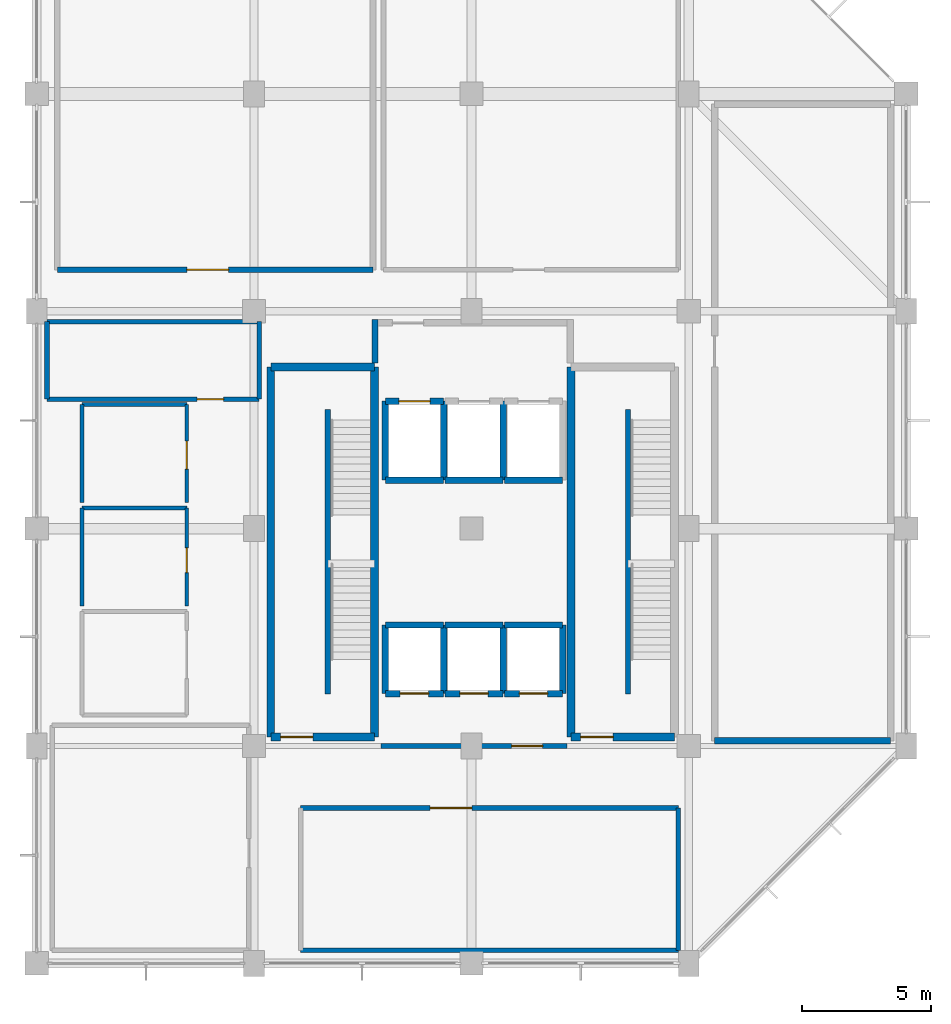
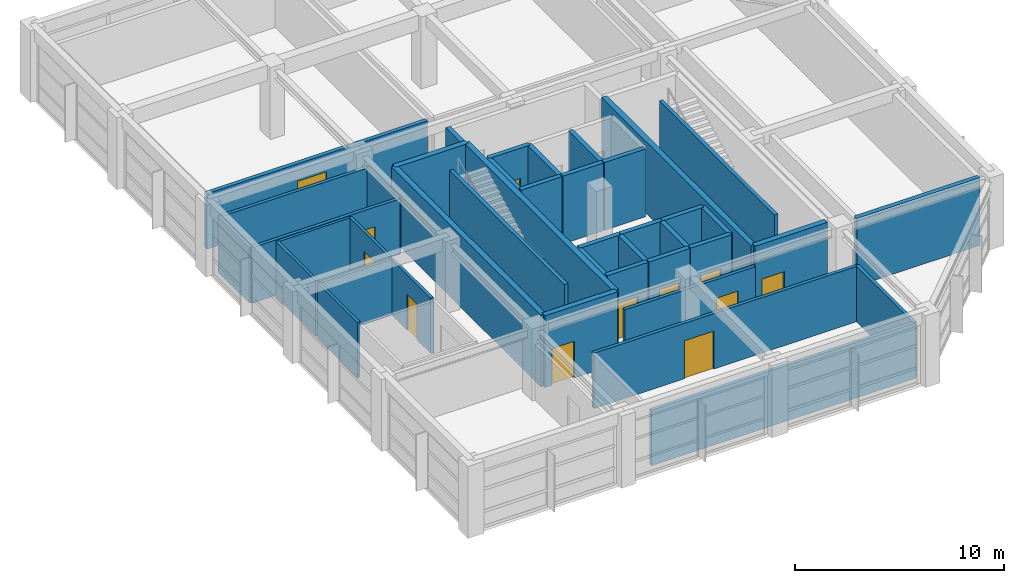
# One storey, part 10 of 12: 42 walls, 12 doors, 12 openings.
"""IFC4 building model written with IfcOpenShell, lengths in metres."""

import ifcopenshell
import ifcopenshell.guid

model = None  # the IFC model being written
_history = None  # IfcOwnerHistory: only IFC2X3 demands one
_inside = {}  # id of a spatial element -> (the spatial element, [elements in it])
_under = {}  # id of a project, library or spatial element -> (it, [spatial elements below it])
_declared = {}  # id of a project -> (the project, [libraries it declares])
_typed = {}  # id of a type object -> (the type object, [elements of that type])
_made_of = {}  # id of a material, layer set ... -> (it, [elements and type objects made of it])


def new_model(schema):
    """Start an empty IFC model of exactly this schema.

    Asked for "IFC4X3", IfcOpenShell would pick the latest addendum, in which some entities
    have other attributes; the version numbers below select the first issue.
    IFC2X3 requires an IfcOwnerHistory on every rooted entity: one is made here for all.
    """
    global model, _history
    if schema == "IFC4X3":
        model = ifcopenshell.file(schema_version=(4, 3, 0, 0))
    else:
        model = ifcopenshell.file(schema=schema)
    _inside.clear()
    _under.clear()
    _declared.clear()
    _typed.clear()
    _made_of.clear()
    _history = None
    if model.schema == "IFC2X3":
        org = make("IfcOrganization", Name="unknown")
        user = make(
            "IfcPersonAndOrganization",
            ThePerson=make("IfcPerson", FamilyName="unknown"),
            TheOrganization=org,
        )
        app = make(
            "IfcApplication",
            ApplicationDeveloper=org,
            Version="unknown",
            ApplicationFullName="unknown",
            ApplicationIdentifier="unknown",
        )
        _history = make(
            "IfcOwnerHistory",
            OwningUser=user,
            OwningApplication=app,
            ChangeAction="ADDED",
            CreationDate=0,
        )
    return model


def make(cls, **values):
    """One entity of the class cls with the attributes given. An attribute that is None is left unset."""
    return model.create_entity(
        cls, **{name: value for name, value in values.items() if value is not None}
    )


def rooted(cls, **values):
    """An entity with a GlobalId (a new one), such as an element, a storey or a relation."""
    return make(cls, GlobalId=ifcopenshell.guid.new(), OwnerHistory=_history, **values)


def si_unit(unit_type, name, prefix=None):
    """IfcSIUnit, for example si_unit("LENGTHUNIT", "METRE", prefix="MILLI")."""
    return make("IfcSIUnit", UnitType=unit_type, Prefix=prefix, Name=name)


def assignment(units):
    """IfcUnitAssignment: the units of a project."""
    return None if units is None else make("IfcUnitAssignment", Units=units)


def point(xyz):
    """IfcCartesianPoint."""
    return None if xyz is None else make("IfcCartesianPoint", Coordinates=xyz)


def direction(xyz):
    """IfcDirection."""
    return None if xyz is None else make("IfcDirection", DirectionRatios=xyz)


def frame(location, z_axis=None, x_axis=None):
    """IfcAxis2Placement3D, a coordinate frame: its origin and axes. An axis left out is left unset."""
    return make(
        "IfcAxis2Placement3D",
        Location=point(location),
        Axis=direction(z_axis),
        RefDirection=direction(x_axis),
    )


def frame_2d(location, x_axis=None):
    """IfcAxis2Placement2D, a coordinate frame in the plane: its origin and x axis."""
    return make(
        "IfcAxis2Placement2D", Location=point(location), RefDirection=direction(x_axis)
    )


def origin():
    """The frame at (0, 0, 0) with its axes left unset."""
    return frame((0.0, 0.0, 0.0))


def place(relative_to, where):
    """IfcLocalPlacement: puts the frame where relative to a parent placement (None: the world)."""
    return make(
        "IfcLocalPlacement", PlacementRelTo=relative_to, RelativePlacement=where
    )


def context(
    kind, dimensions, precision=None, world=None, true_north=None, identifier=None
):
    """IfcGeometricRepresentationContext, for example the 3D "Model" context."""
    return make(
        "IfcGeometricRepresentationContext",
        ContextIdentifier=identifier,
        ContextType=kind,
        CoordinateSpaceDimension=dimensions,
        Precision=precision,
        WorldCoordinateSystem=world,
        TrueNorth=true_north,
    )


def subcontext(parent, identifier, kind, view, scale=None):
    """IfcGeometricRepresentationSubContext, for example "Body" below "Model"."""
    return make(
        "IfcGeometricRepresentationSubContext",
        ContextIdentifier=identifier,
        ContextType=kind,
        ParentContext=parent,
        TargetScale=scale,
        TargetView=view,
    )


def project(units=None, contexts=None):
    """IfcProject with its units and contexts."""
    return rooted(
        "IfcProject",
        Name="project",
        RepresentationContexts=contexts,
        UnitsInContext=assignment(units),
    )


def spatial(cls, under=None, at=None, **own):
    """A site, building, storey or space (cls), placed at a placement, below another one or the project."""
    s = rooted(cls, ObjectPlacement=at, **own)
    if under is not None:
        _under.setdefault(under.id(), (under, []))[1].append(s)
    return s


def profile(cls, at=None, kind="AREA", **sizes):
    """A parametric profile (cls). Its sizes go by their IFC names, for example OverallWidth=200.0."""
    return make(cls, ProfileType=kind, Position=at, **sizes)


def rectangle(**sizes):
    """IfcRectangleProfileDef."""
    return profile("IfcRectangleProfileDef", **sizes)


def extrude(swept, where, along, depth):
    """IfcExtrudedAreaSolid: the profile swept, set in the frame where, extruded along a direction by depth."""
    return make(
        "IfcExtrudedAreaSolid",
        SweptArea=swept,
        Position=where,
        ExtrudedDirection=direction(along),
        Depth=depth,
    )


def shape(context_of_items, identifier, shape_type, items):
    """IfcShapeRepresentation: the items that make up one representation, for example the "Body"."""
    return make(
        "IfcShapeRepresentation",
        ContextOfItems=context_of_items,
        RepresentationIdentifier=identifier,
        RepresentationType=shape_type,
        Items=items,
    )


def material(Name=None, Category=None):
    """IfcMaterial."""
    return make("IfcMaterial", Name=Name, Category=Category)


def layer(
    of_material, thickness, ventilated=None, Name=None, Category=None, Priority=None
):
    """IfcMaterialLayer: one layer of a wall or slab, of a material (None: an air gap)."""
    return make(
        "IfcMaterialLayer",
        Material=of_material,
        LayerThickness=thickness,
        IsVentilated=ventilated,
        Name=Name,
        Category=Category,
        Priority=Priority,
    )


def layer_set(layers, Name=None):
    """IfcMaterialLayerSet."""
    return make("IfcMaterialLayerSet", MaterialLayers=layers, LayerSetName=Name)


def made_of(thing, what):
    """Note that an element or type object is made of a material, layer set ...; save() writes the relation."""
    if what is not None:
        _made_of.setdefault(what.id(), (what, []))[1].append(thing)
    return thing


def type_object(cls, material=None, **own):
    """A type object (cls), such as IfcWallType, which elements share."""
    return made_of(rooted(cls, **own), material)


def element(
    cls,
    number,
    at=None,
    inside=None,
    cuts=None,
    type_object=None,
    material=None,
    context=None,
    identifier="Body",
    shape_type=None,
    held_by="IfcProductDefinitionShape",
    body=None,
    shapes=None,
    **own,
):
    """One element of the class cls, such as IfcWall. Its Tag is "e" and its number.

    at: its placement. inside: the storey or other place that contains it. cuts: it is an
    opening in that element (IfcRelVoidsElement). A single representation is given by context,
    identifier, shape_type and body (its items); several are given by shapes. held_by: the class
    of the entity that holds the representations. save() writes the other relations.
    """
    e = rooted(cls, Tag="e%d" % number, ObjectPlacement=at, **own)
    if body is not None:
        shapes = [shape(context, identifier, shape_type, body)]
    if shapes is not None:
        e.Representation = make(held_by, Representations=shapes)
    if inside is not None:
        _inside.setdefault(inside.id(), (inside, []))[1].append(e)
    if cuts is not None:
        rooted(
            "IfcRelVoidsElement", RelatingBuildingElement=cuts, RelatedOpeningElement=e
        )
    if type_object is not None:
        _typed.setdefault(type_object.id(), (type_object, []))[1].append(e)
    return made_of(e, material)


def fill(opening, filler):
    """IfcRelFillsElement: the door or window that sits in an opening."""
    return rooted(
        "IfcRelFillsElement",
        RelatingOpeningElement=opening,
        RelatedBuildingElement=filler,
    )


def aggregate(whole, parts):
    """IfcRelAggregates: a whole, such as a stair, and the parts it consists of."""
    return rooted("IfcRelAggregates", RelatingObject=whole, RelatedObjects=parts)


def save(model, path):
    """Write the relations noted so far, then the file.

    IfcRelAggregates (storeys below a building ...), IfcRelContainedInSpatialStructure (elements
    in a storey), IfcRelDefinesByType, IfcRelAssociatesMaterial and IfcRelDeclares: one each for
    every whole, place, type object, material and project.
    """
    for whole, parts in _under.values():
        aggregate(whole, parts)
    for where, things in _inside.values():
        rooted(
            "IfcRelContainedInSpatialStructure",
            RelatedElements=things,
            RelatingStructure=where,
        )
    for kind, things in _typed.values():
        rooted("IfcRelDefinesByType", RelatedObjects=things, RelatingType=kind)
    for what, things in _made_of.values():
        rooted("IfcRelAssociatesMaterial", RelatedObjects=things, RelatingMaterial=what)
    for by, libraries in _declared.values():
        rooted("IfcRelDeclares", RelatingContext=by, RelatedDefinitions=libraries)
    model.write(path)


model = new_model("IFC4")

# Units and contexts
model_context = context("Model", 3, precision=1e-05, world=origin(), true_north=direction((0.0, 1.0)))
body_context = subcontext(model_context, "Body", "Model", "MODEL_VIEW")
ifc_project = project(units=[si_unit("LENGTHUNIT", "METRE"), si_unit("AREAUNIT", "SQUARE_METRE"), si_unit("VOLUMEUNIT", "CUBIC_METRE"), si_unit("PLANEANGLEUNIT", "RADIAN"), si_unit("MASSUNIT", "GRAM", prefix="KILO")], contexts=[model_context])

# Site, building, storey
site_placement = place(None, origin())
site = spatial("IfcSite", under=ifc_project, at=site_placement, CompositionType="ELEMENT")
building_placement = place(site_placement, origin())
building = spatial("IfcBuilding", under=site, at=building_placement, Name="Xuanlan Plaza Opera House", CompositionType="ELEMENT")
storey_placement = place(building_placement, frame((0.0, 0.0, 65.699951171875)))
storey = spatial("IfcBuildingStorey", under=building, at=storey_placement, Name="L15", CompositionType="ELEMENT", Elevation=65.699951171875)

# Wall, opening, door
ifc_material_1 = material(Name="Gypsum Board and Galvanised Steel Studs", Category="gypsum")
ifc_layer_1 = layer(ifc_material_1, 0.179931640625)
ifc_layer_set_1 = layer_set([ifc_layer_1], Name="Gypsum Board and Galvanised Steel Studs")
wall_type_1 = type_object("IfcWallType", Name="INT-WL-PW-02", PredefinedType="PARTITIONING", material=ifc_layer_set_1)
wall_1_placement = place(storey_placement, frame((139.300048828125, 50.39990234375, 0.0), z_axis=(0.0, 0.0, 1.0), x_axis=(1.0, 0.0, 0.0)))
wall_1 = element("IfcWall", 1, at=wall_1_placement, inside=storey, type_object=wall_type_1, Name="Tower Lift Lobby Wall South", PredefinedType="PARTITIONING", context=body_context, shape_type="SweptSolid", body=[
    extrude(rectangle(XDim=7.199951171875, YDim=0.179931640625, at=frame_2d((3.60009765625, 0.0))), origin(), (0.0, 0.0, 1.0), 3.239990234375),
])
opening_1_placement = place(wall_1_placement, frame((5.050048828125, 0.0, 0.0)))
opening_1 = element("IfcOpeningElement", 2, at=opening_1_placement, cuts=wall_1, Name="Opening FD-02", PredefinedType="OPENING", context=body_context, shape_type="SweptSolid", body=[
    extrude(rectangle(XDim=1.199951171875, YDim=2.14990234375, at=frame_2d((0.60009765625, 1.074951171875))), frame((0.0, 0.099853515625, 0.0), z_axis=(0.0, -1.0, 0.0), x_axis=(1.0, 0.0, 0.0)), (0.0, 0.0, 1.0), 0.199951171875),
])
ifc_material_2 = material(Name="Galvanised Steel Q235B", Category="steel")
door_type_1 = type_object("IfcDoorType", Name="INT-DR-FD-02", OperationType="NOTDEFINED", PredefinedType="DOOR", material=ifc_material_2)
door_1_placement = place(opening_1_placement, frame((1.199951171875, 0.0, 0.0), z_axis=(0.0, 0.0, 1.0), x_axis=(-1.0, 0.0, 0.0)))
door_1 = element("IfcDoor", 3, at=door_1_placement, inside=storey, type_object=door_type_1, Name="Tower Lift Lobby Door 1", OperationType="SINGLE_SWING_RIGHT", OverallHeight=2.14990234375, OverallWidth=1.199951171875, PredefinedType="DOOR", context=body_context, shape_type="SweptSolid", body=[
    extrude(rectangle(XDim=1.199951171875, YDim=2.14990234375, at=frame_2d((0.60009765625, 1.074951171875))), frame((0.0, 0.02490234375, 0.0), z_axis=(0.0, -1.0, 0.0), x_axis=(1.0, 0.0, 0.0)), (0.0, 0.0, 1.0), 0.050048828125),
])
fill(opening_1, door_1)

wall_2_placement = place(storey_placement, frame((126.39990234375, 63.800048828125, 0.0), z_axis=(0.0, 0.0, 1.0), x_axis=(1.0, 0.0, 0.0)))
wall_2 = element("IfcWall", 4, at=wall_2_placement, inside=storey, type_object=wall_type_1, Name="Sheet-Music Conservation Studio Wall South", PredefinedType="PARTITIONING", context=body_context, shape_type="SweptSolid", body=[
    extrude(rectangle(XDim=8.2001953125, YDim=0.179931640625, at=frame_2d((4.10009765625, 0.0))), origin(), (0.0, 0.0, 1.0), 3.239990234375),
])
opening_2_placement = place(wall_2_placement, frame((5.800048828125, 0.0, 0.0)))
opening_2 = element("IfcOpeningElement", 5, at=opening_2_placement, cuts=wall_2, Name="Opening D-02", PredefinedType="OPENING", context=body_context, shape_type="SweptSolid", body=[
    extrude(rectangle(XDim=1.02001953125, YDim=2.10009765625, at=frame_2d((0.510009765625, 1.050048828125))), frame((0.0, 0.099853515625, 0.0), z_axis=(0.0, -1.0, 0.0), x_axis=(1.0, 0.0, 0.0)), (0.0, 0.0, 1.0), 0.199951171875),
])
ifc_material_3 = material(Name="Oak Hardwood Timber", Category="wood")
door_type_2 = type_object("IfcDoorType", Name="INT-DR-D-02", OperationType="NOTDEFINED", PredefinedType="DOOR", material=ifc_material_3)
door_2_placement = place(opening_2_placement, origin())
door_2 = element("IfcDoor", 6, at=door_2_placement, inside=storey, type_object=door_type_2, Name="Sheet-Music Conservation Studio Door 1", OperationType="SINGLE_SWING_RIGHT", OverallHeight=2.10009765625, OverallWidth=1.02001953125, PredefinedType="DOOR", context=body_context, shape_type="SweptSolid", body=[
    extrude(rectangle(XDim=1.02001953125, YDim=2.10009765625, at=frame_2d((0.510009765625, 1.050048828125))), frame((0.0, 0.02490234375, 0.0), z_axis=(0.0, -1.0, 0.0), x_axis=(1.0, 0.0, 0.0)), (0.0, 0.0, 1.0), 0.050048828125),
])
fill(opening_2, door_2)

# Walls
wall_3_placement = place(storey_placement, frame((126.39990234375, 66.800048828125, 0.0), z_axis=(0.0, 0.0, 1.0), x_axis=(1.0, 0.0, 0.0)))
element("IfcWall", 7, at=wall_3_placement, inside=storey, type_object=wall_type_1, Name="Sheet-Music Conservation Studio Wall North", PredefinedType="PARTITIONING", context=body_context, shape_type="SweptSolid", body=[
    extrude(rectangle(XDim=8.2001953125, YDim=0.179931640625, at=frame_2d((4.10009765625, 0.0))), origin(), (0.0, 0.0, 1.0), 3.239990234375),
])
for number, where, z_axis, x_axis, name in (
    (8, (126.39990234375, 63.800048828125, 0.0), (0.0, 0.0, 1.0), (0.0, 1.0, 0.0), "Sheet-Music Conservation Studio Wall West"),
    (9, (134.60009765625, 63.800048828125, 0.0), (0.0, 0.0, 1.0), (0.0, 1.0, 0.0), "Sheet-Music Conservation Studio Wall East"),
):
    element("IfcWall", number, at=place(storey_placement, frame(where, z_axis=z_axis, x_axis=x_axis)), inside=storey, type_object=wall_type_1, Name=name, PredefinedType="PARTITIONING", context=body_context, shape_type="SweptSolid", body=[
        extrude(rectangle(XDim=3.0, YDim=0.179931640625, at=frame_2d((1.5, 0.0))), origin(), (0.0, 0.0, 1.0), 3.239990234375),
    ])
wall_4_placement = place(storey_placement, frame((136.199951171875, 42.5, 0.0), z_axis=(0.0, 0.0, 1.0), x_axis=(1.0, 0.0, 0.0)))
element("IfcWall", 10, at=wall_4_placement, inside=storey, type_object=wall_type_1, Name="Chamber Music Coaching Studio Wall South", PredefinedType="PARTITIONING", context=body_context, shape_type="SweptSolid", body=[
    extrude(rectangle(XDim=14.60009765625, YDim=0.179931640625, at=frame_2d((7.300048828125, 0.0))), origin(), (0.0, 0.0, 1.0), 3.239990234375),
])

# Wall, opening, door
wall_5_placement = place(storey_placement, frame((136.199951171875, 48.0, 0.0), z_axis=(0.0, 0.0, 1.0), x_axis=(1.0, 0.0, 0.0)))
wall_5 = element("IfcWall", 11, at=wall_5_placement, inside=storey, type_object=wall_type_1, Name="Chamber Music Coaching Studio Wall North", PredefinedType="PARTITIONING", context=body_context, shape_type="SweptSolid", body=[
    extrude(rectangle(XDim=14.60009765625, YDim=0.179931640625, at=frame_2d((7.300048828125, 0.0))), origin(), (0.0, 0.0, 1.0), 3.239990234375),
])
opening_3_placement = place(wall_5_placement, frame((5.0, 0.0, 0.0)))
opening_3 = element("IfcOpeningElement", 12, at=opening_3_placement, cuts=wall_5, Name="Opening D-08", PredefinedType="OPENING", context=body_context, shape_type="SweptSolid", body=[
    extrude(rectangle(XDim=1.6201171875, YDim=2.219970703125, at=frame_2d((0.81005859375, 1.10986328125))), frame((0.0, 0.099853515625, 0.0), z_axis=(0.0, -1.0, 0.0), x_axis=(1.0, 0.0, 0.0)), (0.0, 0.0, 1.0), 0.199951171875),
])
ifc_material_4 = material(Name="Walnut Hardwood Timber", Category="wood")
door_type_3 = type_object("IfcDoorType", Name="INT-DR-D-08", OperationType="DOUBLE_DOOR_SINGLE_SWING", PredefinedType="DOOR", material=ifc_material_4)
door_3_placement = place(opening_3_placement, origin())
door_3 = element("IfcDoor", 13, at=door_3_placement, inside=storey, type_object=door_type_3, Name="Chamber Music Coaching Studio Door 1", OperationType="DOUBLE_DOOR_SINGLE_SWING", OverallHeight=2.219970703125, OverallWidth=1.6201171875, PredefinedType="DOOR", context=body_context, shape_type="SweptSolid", body=[
    extrude(rectangle(XDim=1.6201171875, YDim=2.219970703125, at=frame_2d((0.81005859375, 1.10986328125))), frame((0.0, 0.02490234375, 0.0), z_axis=(0.0, -1.0, 0.0), x_axis=(1.0, 0.0, 0.0)), (0.0, 0.0, 1.0), 0.050048828125),
])
fill(opening_3, door_3)

# Walls
wall_6_placement = place(storey_placement, frame((150.800048828125, 42.5, 0.0), z_axis=(0.0, 0.0, 1.0), x_axis=(0.0, 1.0, 0.0)))
element("IfcWall", 14, at=wall_6_placement, inside=storey, type_object=wall_type_1, Name="Chamber Music Coaching Studio Wall East", PredefinedType="PARTITIONING", context=body_context, shape_type="SweptSolid", body=[
    extrude(rectangle(XDim=5.5, YDim=0.179931640625, at=frame_2d((2.75, 0.0))), origin(), (0.0, 0.0, 1.0), 3.239990234375),
])
ifc_material_5 = material(Name="Autoclaved Aerated Blockwork Masonry", Category="masonry")
ifc_layer_2 = layer(ifc_material_5, 0.14990234375)
ifc_layer_set_2 = layer_set([ifc_layer_2], Name="Autoclaved Aerated Blockwork Masonry")
wall_type_2 = type_object("IfcWallType", Name="INT-WL-PW-03", PredefinedType="PARTITIONING", material=ifc_layer_set_2)
wall_7_placement = place(storey_placement, frame((127.75, 59.60009765625, 0.0), z_axis=(0.0, 0.0, 1.0), x_axis=(1.0, 0.0, 0.0)))
element("IfcWall", 15, at=wall_7_placement, inside=storey, type_object=wall_type_2, Name="Staff WC Wall North", PredefinedType="PARTITIONING", context=body_context, shape_type="SweptSolid", body=[
    extrude(rectangle(XDim=4.050048828125, YDim=0.14990234375, at=frame_2d((2.02490234375, 0.0))), origin(), (0.0, 0.0, 1.0), 3.239990234375),
])
wall_8_placement = place(storey_placement, frame((127.75, 55.800048828125, 0.0), z_axis=(0.0, 0.0, 1.0), x_axis=(0.0, 1.0, 0.0)))
element("IfcWall", 16, at=wall_8_placement, inside=storey, type_object=wall_type_2, Name="Staff WC Wall West", PredefinedType="PARTITIONING", context=body_context, shape_type="SweptSolid", body=[
    extrude(rectangle(XDim=3.800048828125, YDim=0.14990234375, at=frame_2d((1.89990234375, 0.0))), origin(), (0.0, 0.0, 1.0), 3.239990234375),
])

# Wall, opening, door
wall_9_placement = place(storey_placement, frame((131.800048828125, 55.800048828125, 0.0), z_axis=(0.0, 0.0, 1.0), x_axis=(0.0, 1.0, 0.0)))
wall_9 = element("IfcWall", 17, at=wall_9_placement, inside=storey, type_object=wall_type_2, Name="Staff WC Wall East", PredefinedType="PARTITIONING", context=body_context, shape_type="SweptSolid", body=[
    extrude(rectangle(XDim=3.800048828125, YDim=0.14990234375, at=frame_2d((1.89990234375, 0.0))), origin(), (0.0, 0.0, 1.0), 3.239990234375),
])
opening_4_placement = place(wall_9_placement, frame((1.300048828125, 0.0, 0.0)))
opening_4 = element("IfcOpeningElement", 18, at=opening_4_placement, cuts=wall_9, Name="Opening D-01", PredefinedType="OPENING", context=body_context, shape_type="SweptSolid", body=[
    extrude(rectangle(XDim=0.949951171875, YDim=2.10009765625, at=frame_2d((0.47509765625, 1.050048828125))), frame((0.0, 0.0849609375, 0.0), z_axis=(0.0, -1.0, 0.0), x_axis=(1.0, 0.0, 0.0)), (0.0, 0.0, 1.0), 0.169921875),
])
door_type_4 = type_object("IfcDoorType", Name="INT-DR-D-01", OperationType="NOTDEFINED", PredefinedType="DOOR", material=ifc_material_4)
door_4_placement = place(opening_4_placement, origin())
door_4 = element("IfcDoor", 19, at=door_4_placement, inside=storey, type_object=door_type_4, Name="Staff WC Door 1", OperationType="SINGLE_SWING_RIGHT", OverallHeight=2.10009765625, OverallWidth=0.949951171875, PredefinedType="DOOR", context=body_context, shape_type="SweptSolid", body=[
    extrude(rectangle(XDim=0.949951171875, YDim=2.10009765625, at=frame_2d((0.47509765625, 1.050048828125))), frame((0.0, 0.02490234375, 0.0), z_axis=(0.0, -1.0, 0.0), x_axis=(1.0, 0.0, 0.0)), (0.0, 0.0, 1.0), 0.050048828125),
])
fill(opening_4, door_4)

# Walls
wall_10_placement = place(storey_placement, frame((127.75, 63.60009765625, 0.0), z_axis=(0.0, 0.0, 1.0), x_axis=(1.0, 0.0, 0.0)))
element("IfcWall", 20, at=wall_10_placement, inside=storey, type_object=wall_type_2, Name="Accessible WC Wall North", PredefinedType="PARTITIONING", context=body_context, shape_type="SweptSolid", body=[
    extrude(rectangle(XDim=4.050048828125, YDim=0.14990234375, at=frame_2d((2.02490234375, 0.0))), origin(), (0.0, 0.0, 1.0), 3.239990234375),
])
wall_11_placement = place(storey_placement, frame((127.75, 59.800048828125, 0.0), z_axis=(0.0, 0.0, 1.0), x_axis=(0.0, 1.0, 0.0)))
element("IfcWall", 21, at=wall_11_placement, inside=storey, type_object=wall_type_2, Name="Accessible WC Wall West", PredefinedType="PARTITIONING", context=body_context, shape_type="SweptSolid", body=[
    extrude(rectangle(XDim=3.800048828125, YDim=0.14990234375, at=frame_2d((1.89990234375, 0.0))), origin(), (0.0, 0.0, 1.0), 3.239990234375),
])

# Wall, opening, door
wall_12_placement = place(storey_placement, frame((131.800048828125, 59.800048828125, 0.0), z_axis=(0.0, 0.0, 1.0), x_axis=(0.0, 1.0, 0.0)))
wall_12 = element("IfcWall", 22, at=wall_12_placement, inside=storey, type_object=wall_type_2, Name="Accessible WC Wall East", PredefinedType="PARTITIONING", context=body_context, shape_type="SweptSolid", body=[
    extrude(rectangle(XDim=3.800048828125, YDim=0.14990234375, at=frame_2d((1.89990234375, 0.0))), origin(), (0.0, 0.0, 1.0), 3.239990234375),
])
opening_5_placement = place(wall_12_placement, frame((1.300048828125, 0.0, 0.0)))
opening_5 = element("IfcOpeningElement", 23, at=opening_5_placement, cuts=wall_12, Name="Opening D-06", PredefinedType="OPENING", context=body_context, shape_type="SweptSolid", body=[
    extrude(rectangle(XDim=1.080078125, YDim=2.1201171875, at=frame_2d((0.5400390625, 1.06005859375))), frame((0.0, 0.0849609375, 0.0), z_axis=(0.0, -1.0, 0.0), x_axis=(1.0, 0.0, 0.0)), (0.0, 0.0, 1.0), 0.169921875),
])
door_type_5 = type_object("IfcDoorType", Name="INT-DR-D-06", OperationType="NOTDEFINED", PredefinedType="DOOR", material=ifc_material_3)
door_5_placement = place(opening_5_placement, origin())
door_5 = element("IfcDoor", 24, at=door_5_placement, inside=storey, type_object=door_type_5, Name="Accessible WC Door 1", OperationType="SINGLE_SWING_LEFT", OverallHeight=2.1201171875, OverallWidth=1.080078125, PredefinedType="DOOR", context=body_context, shape_type="SweptSolid", body=[
    extrude(rectangle(XDim=1.080078125, YDim=2.1201171875, at=frame_2d((0.5400390625, 1.06005859375))), frame((0.0, 0.02490234375, 0.0), z_axis=(0.0, -1.0, 0.0), x_axis=(1.0, 0.0, 0.0)), (0.0, 0.0, 1.0), 0.050048828125),
])
fill(opening_5, door_5)

ifc_layer_3 = layer(ifc_material_5, 0.219970703125)
ifc_layer_set_3 = layer_set([ifc_layer_3], Name="Autoclaved Aerated Blockwork Masonry")
wall_type_3 = type_object("IfcWallType", Name="INT-WL-PW-06", PredefinedType="PARTITIONING", material=ifc_layer_set_3)
wall_13_placement = place(storey_placement, frame((126.800048828125, 68.800048828125, 0.0), z_axis=(0.0, 0.0, 1.0), x_axis=(1.0, 0.0, 0.0)))
wall_13 = element("IfcWall", 25, at=wall_13_placement, inside=storey, type_object=wall_type_3, Name="Endowment Executive Suite West Wall South", PredefinedType="PARTITIONING", context=body_context, shape_type="SweptSolid", body=[
    extrude(rectangle(XDim=12.199951171875, YDim=0.219970703125, at=frame_2d((6.10009765625, 0.0))), origin(), (0.0, 0.0, 1.0), 3.239990234375),
])
opening_6_placement = place(wall_13_placement, frame((5.0, 0.0, 0.0)))
opening_6 = element("IfcOpeningElement", 26, at=opening_6_placement, cuts=wall_13, Name="Opening D-08", PredefinedType="OPENING", context=body_context, shape_type="SweptSolid", body=[
    extrude(rectangle(XDim=1.6201171875, YDim=2.219970703125, at=frame_2d((0.81005859375, 1.10986328125))), frame((0.0, 0.119873046875, 0.0), z_axis=(0.0, -1.0, 0.0), x_axis=(1.0, 0.0, 0.0)), (0.0, 0.0, 1.0), 0.239990234375),
])
door_6_placement = place(opening_6_placement, origin())
door_6 = element("IfcDoor", 27, at=door_6_placement, inside=storey, type_object=door_type_3, Name="Endowment Executive Suite West Door 1", OperationType="DOUBLE_DOOR_SINGLE_SWING", OverallHeight=2.219970703125, OverallWidth=1.6201171875, PredefinedType="DOOR", context=body_context, shape_type="SweptSolid", body=[
    extrude(rectangle(XDim=1.6201171875, YDim=2.219970703125, at=frame_2d((0.81005859375, 1.10986328125))), frame((0.0, 0.02490234375, 0.0), z_axis=(0.0, -1.0, 0.0), x_axis=(1.0, 0.0, 0.0)), (0.0, 0.0, 1.0), 0.050048828125),
])
fill(opening_6, door_6)

# Wall
ifc_material_6 = material(Name="Concrete C40", Category="concrete")
ifc_layer_4 = layer(ifc_material_6, 0.25)
ifc_layer_set_4 = layer_set([ifc_layer_4], Name="Concrete C40")
wall_type_4 = type_object("IfcWallType", Name="INT-WL-SW-LF1", PredefinedType="SHEAR", material=ifc_layer_set_4)
wall_14_placement = place(storey_placement, frame((139.47509765625, 60.675048828125, 0.0), z_axis=(0.0, 0.0, 1.0), x_axis=(1.0, 0.0, 0.0)))
element("IfcWall", 28, at=wall_14_placement, inside=storey, type_object=wall_type_4, Name="Lift Shaft Wall LF-FF1 L15 South", PredefinedType="SHEAR", context=body_context, shape_type="SweptSolid", body=[
    extrude(rectangle(XDim=2.25, YDim=0.25, at=frame_2d((1.125, 0.0))), origin(), (0.0, 0.0, 1.0), 3.9599609375),
])

# Wall, opening, door
wall_15_placement = place(storey_placement, frame((139.47509765625, 63.72509765625, 0.0), z_axis=(0.0, 0.0, 1.0), x_axis=(1.0, 0.0, 0.0)))
wall_15 = element("IfcWall", 29, at=wall_15_placement, inside=storey, type_object=wall_type_4, Name="Lift Shaft Wall LF-FF1 L15 North", PredefinedType="SHEAR", context=body_context, shape_type="SweptSolid", body=[
    extrude(rectangle(XDim=2.25, YDim=0.25, at=frame_2d((1.125, 0.0))), origin(), (0.0, 0.0, 1.0), 3.9599609375),
])
opening_7_placement = place(wall_15_placement, frame((0.52490234375, 0.0, 0.0)))
opening_7 = element("IfcOpeningElement", 30, at=opening_7_placement, cuts=wall_15, Name="Opening LD-FF1-L15", PredefinedType="OPENING", context=body_context, shape_type="SweptSolid", body=[
    extrude(rectangle(XDim=1.199951171875, YDim=2.179931640625, at=frame_2d((0.60009765625, 1.08984375))), frame((0.0, 0.135009765625, 0.0), z_axis=(0.0, -1.0, 0.0), x_axis=(1.0, 0.0, 0.0)), (0.0, 0.0, 1.0), 0.27001953125),
])
ifc_material_7 = material(Name="Stainless Steel S30408", Category="steel")
door_type_6 = type_object("IfcDoorType", Name="INT-DR-LD-02", OperationType="DOUBLE_DOOR_SLIDING", PredefinedType="DOOR", material=ifc_material_7)
door_7_placement = place(opening_7_placement, origin())
door_7 = element("IfcDoor", 31, at=door_7_placement, inside=storey, type_object=door_type_6, Name="Lift Sliding Landing Door LF-FF1 L15", OperationType="DOUBLE_DOOR_SLIDING", OverallHeight=2.179931640625, OverallWidth=1.199951171875, PredefinedType="DOOR", context=body_context, shape_type="SweptSolid", body=[
    extrude(rectangle(XDim=1.199951171875, YDim=2.179931640625, at=frame_2d((0.60009765625, 1.08984375))), frame((0.0, 0.02490234375, 0.0), z_axis=(0.0, -1.0, 0.0), x_axis=(1.0, 0.0, 0.0)), (0.0, 0.0, 1.0), 0.050048828125),
])
fill(opening_7, door_7)

# Walls
for number, where, z_axis, x_axis, name in (
    (32, (139.47509765625, 60.675048828125, 0.0), (0.0, 0.0, 1.0), (0.0, 1.0, 0.0), "Lift Shaft Wall LF-FF1 L15 West"),
    (33, (141.72509765625, 60.675048828125, 0.0), (0.0, 0.0, 1.0), (0.0, 1.0, 0.0), "Lift Shaft Wall LF-FF1 L15 East"),
):
    element("IfcWall", number, at=place(storey_placement, frame(where, z_axis=z_axis, x_axis=x_axis)), inside=storey, type_object=wall_type_4, Name=name, PredefinedType="SHEAR", context=body_context, shape_type="SweptSolid", body=[
        extrude(rectangle(XDim=3.050048828125, YDim=0.25, at=frame_2d((1.52490234375, 0.0))), origin(), (0.0, 0.0, 1.0), 3.9599609375),
    ])
wall_16_placement = place(storey_placement, frame((141.77490234375, 60.675048828125, 0.0), z_axis=(0.0, 0.0, 1.0), x_axis=(1.0, 0.0, 0.0)))
element("IfcWall", 34, at=wall_16_placement, inside=storey, type_object=wall_type_4, Name="Lift Shaft Wall LF-FF2 L15 South", PredefinedType="SHEAR", context=body_context, shape_type="SweptSolid", body=[
    extrude(rectangle(XDim=2.25, YDim=0.25, at=frame_2d((1.125, 0.0))), origin(), (0.0, 0.0, 1.0), 3.9599609375),
])
wall_17_placement = place(storey_placement, frame((144.02490234375, 60.675048828125, 0.0), z_axis=(0.0, 0.0, 1.0), x_axis=(0.0, 1.0, 0.0)))
element("IfcWall", 35, at=wall_17_placement, inside=storey, type_object=wall_type_4, Name="Lift Shaft Wall LF-FF2 L15 East", PredefinedType="SHEAR", context=body_context, shape_type="SweptSolid", body=[
    extrude(rectangle(XDim=3.050048828125, YDim=0.25, at=frame_2d((1.52490234375, 0.0))), origin(), (0.0, 0.0, 1.0), 3.9599609375),
])
wall_18_placement = place(storey_placement, frame((144.074951171875, 60.675048828125, 0.0), z_axis=(0.0, 0.0, 1.0), x_axis=(1.0, 0.0, 0.0)))
element("IfcWall", 36, at=wall_18_placement, inside=storey, type_object=wall_type_4, Name="Lift Shaft Wall LF-FF3 L15 South", PredefinedType="SHEAR", context=body_context, shape_type="SweptSolid", body=[
    extrude(rectangle(XDim=2.25, YDim=0.25, at=frame_2d((1.125, 0.0))), origin(), (0.0, 0.0, 1.0), 3.9599609375),
])

# Wall, opening, door
wall_19_placement = place(storey_placement, frame((139.47509765625, 52.425048828125, 0.0), z_axis=(0.0, 0.0, 1.0), x_axis=(1.0, 0.0, 0.0)))
wall_19 = element("IfcWall", 37, at=wall_19_placement, inside=storey, type_object=wall_type_4, Name="Lift Shaft Wall LF-P1 L15 South", PredefinedType="SHEAR", context=body_context, shape_type="SweptSolid", body=[
    extrude(rectangle(XDim=2.25, YDim=0.25, at=frame_2d((1.125, 0.0))), origin(), (0.0, 0.0, 1.0), 3.9599609375),
])
opening_8_placement = place(wall_19_placement, frame((0.574951171875, 0.0, 0.0)))
opening_8 = element("IfcOpeningElement", 38, at=opening_8_placement, cuts=wall_19, Name="Opening LD-P1-L15", PredefinedType="OPENING", context=body_context, shape_type="SweptSolid", body=[
    extrude(rectangle(XDim=1.10009765625, YDim=2.14990234375, at=frame_2d((0.550048828125, 1.074951171875))), frame((0.0, 0.135009765625, 0.0), z_axis=(0.0, -1.0, 0.0), x_axis=(1.0, 0.0, 0.0)), (0.0, 0.0, 1.0), 0.27001953125),
])
door_type_7 = type_object("IfcDoorType", Name="INT-DR-LD-01", OperationType="DOUBLE_DOOR_SLIDING", PredefinedType="DOOR", material=ifc_material_7)
door_8_placement = place(opening_8_placement, origin())
door_8 = element("IfcDoor", 39, at=door_8_placement, inside=storey, type_object=door_type_7, Name="Lift Sliding Landing Door LF-P1 L15", OperationType="DOUBLE_DOOR_SLIDING", OverallHeight=2.14990234375, OverallWidth=1.10009765625, PredefinedType="DOOR", context=body_context, shape_type="SweptSolid", body=[
    extrude(rectangle(XDim=1.10009765625, YDim=2.14990234375, at=frame_2d((0.550048828125, 1.074951171875))), frame((0.0, 0.02490234375, 0.0), z_axis=(0.0, -1.0, 0.0), x_axis=(1.0, 0.0, 0.0)), (0.0, 0.0, 1.0), 0.050048828125),
])
fill(opening_8, door_8)

# Walls
wall_20_placement = place(storey_placement, frame((139.47509765625, 55.074951171875, 0.0), z_axis=(0.0, 0.0, 1.0), x_axis=(1.0, 0.0, 0.0)))
element("IfcWall", 40, at=wall_20_placement, inside=storey, type_object=wall_type_4, Name="Lift Shaft Wall LF-P1 L15 North", PredefinedType="SHEAR", context=body_context, shape_type="SweptSolid", body=[
    extrude(rectangle(XDim=2.25, YDim=0.25, at=frame_2d((1.125, 0.0))), origin(), (0.0, 0.0, 1.0), 3.9599609375),
])
for number, where, z_axis, x_axis, name in (
    (41, (139.47509765625, 52.425048828125, 0.0), (0.0, 0.0, 1.0), (0.0, 1.0, 0.0), "Lift Shaft Wall LF-P1 L15 West"),
    (42, (141.72509765625, 52.425048828125, 0.0), (0.0, 0.0, 1.0), (0.0, 1.0, 0.0), "Lift Shaft Wall LF-P1 L15 East"),
):
    element("IfcWall", number, at=place(storey_placement, frame(where, z_axis=z_axis, x_axis=x_axis)), inside=storey, type_object=wall_type_4, Name=name, PredefinedType="SHEAR", context=body_context, shape_type="SweptSolid", body=[
        extrude(rectangle(XDim=2.64990234375, YDim=0.25, at=frame_2d((1.324951171875, 0.0))), origin(), (0.0, 0.0, 1.0), 3.9599609375),
    ])

# Wall, opening, door
wall_21_placement = place(storey_placement, frame((141.77490234375, 52.425048828125, 0.0), z_axis=(0.0, 0.0, 1.0), x_axis=(1.0, 0.0, 0.0)))
wall_21 = element("IfcWall", 43, at=wall_21_placement, inside=storey, type_object=wall_type_4, Name="Lift Shaft Wall LF-P2 L15 South", PredefinedType="SHEAR", context=body_context, shape_type="SweptSolid", body=[
    extrude(rectangle(XDim=2.25, YDim=0.25, at=frame_2d((1.125, 0.0))), origin(), (0.0, 0.0, 1.0), 3.9599609375),
])
opening_9_placement = place(wall_21_placement, frame((0.574951171875, 0.0, 0.0)))
opening_9 = element("IfcOpeningElement", 44, at=opening_9_placement, cuts=wall_21, Name="Opening LD-P2-L15", PredefinedType="OPENING", context=body_context, shape_type="SweptSolid", body=[
    extrude(rectangle(XDim=1.10009765625, YDim=2.14990234375, at=frame_2d((0.550048828125, 1.074951171875))), frame((0.0, 0.135009765625, 0.0), z_axis=(0.0, -1.0, 0.0), x_axis=(1.0, 0.0, 0.0)), (0.0, 0.0, 1.0), 0.27001953125),
])
door_9_placement = place(opening_9_placement, origin())
door_9 = element("IfcDoor", 45, at=door_9_placement, inside=storey, type_object=door_type_7, Name="Lift Sliding Landing Door LF-P2 L15", OperationType="DOUBLE_DOOR_SLIDING", OverallHeight=2.14990234375, OverallWidth=1.10009765625, PredefinedType="DOOR", context=body_context, shape_type="SweptSolid", body=[
    extrude(rectangle(XDim=1.10009765625, YDim=2.14990234375, at=frame_2d((0.550048828125, 1.074951171875))), frame((0.0, 0.02490234375, 0.0), z_axis=(0.0, -1.0, 0.0), x_axis=(1.0, 0.0, 0.0)), (0.0, 0.0, 1.0), 0.050048828125),
])
fill(opening_9, door_9)

# Walls
wall_22_placement = place(storey_placement, frame((141.77490234375, 55.074951171875, 0.0), z_axis=(0.0, 0.0, 1.0), x_axis=(1.0, 0.0, 0.0)))
element("IfcWall", 46, at=wall_22_placement, inside=storey, type_object=wall_type_4, Name="Lift Shaft Wall LF-P2 L15 North", PredefinedType="SHEAR", context=body_context, shape_type="SweptSolid", body=[
    extrude(rectangle(XDim=2.25, YDim=0.25, at=frame_2d((1.125, 0.0))), origin(), (0.0, 0.0, 1.0), 3.9599609375),
])
wall_23_placement = place(storey_placement, frame((144.02490234375, 52.425048828125, 0.0), z_axis=(0.0, 0.0, 1.0), x_axis=(0.0, 1.0, 0.0)))
element("IfcWall", 47, at=wall_23_placement, inside=storey, type_object=wall_type_4, Name="Lift Shaft Wall LF-P2 L15 East", PredefinedType="SHEAR", context=body_context, shape_type="SweptSolid", body=[
    extrude(rectangle(XDim=2.64990234375, YDim=0.25, at=frame_2d((1.324951171875, 0.0))), origin(), (0.0, 0.0, 1.0), 3.9599609375),
])

# Wall, opening, door
wall_24_placement = place(storey_placement, frame((144.074951171875, 52.425048828125, 0.0), z_axis=(0.0, 0.0, 1.0), x_axis=(1.0, 0.0, 0.0)))
wall_24 = element("IfcWall", 48, at=wall_24_placement, inside=storey, type_object=wall_type_4, Name="Lift Shaft Wall LF-P3 L15 South", PredefinedType="SHEAR", context=body_context, shape_type="SweptSolid", body=[
    extrude(rectangle(XDim=2.25, YDim=0.25, at=frame_2d((1.125, 0.0))), origin(), (0.0, 0.0, 1.0), 3.9599609375),
])
opening_10_placement = place(wall_24_placement, frame((0.574951171875, 0.0, 0.0)))
opening_10 = element("IfcOpeningElement", 49, at=opening_10_placement, cuts=wall_24, Name="Opening LD-P3-L15", PredefinedType="OPENING", context=body_context, shape_type="SweptSolid", body=[
    extrude(rectangle(XDim=1.10009765625, YDim=2.14990234375, at=frame_2d((0.550048828125, 1.074951171875))), frame((0.0, 0.135009765625, 0.0), z_axis=(0.0, -1.0, 0.0), x_axis=(1.0, 0.0, 0.0)), (0.0, 0.0, 1.0), 0.27001953125),
])
door_10_placement = place(opening_10_placement, origin())
door_10 = element("IfcDoor", 50, at=door_10_placement, inside=storey, type_object=door_type_7, Name="Lift Sliding Landing Door LF-P3 L15", OperationType="DOUBLE_DOOR_SLIDING", OverallHeight=2.14990234375, OverallWidth=1.10009765625, PredefinedType="DOOR", context=body_context, shape_type="SweptSolid", body=[
    extrude(rectangle(XDim=1.10009765625, YDim=2.14990234375, at=frame_2d((0.550048828125, 1.074951171875))), frame((0.0, 0.02490234375, 0.0), z_axis=(0.0, -1.0, 0.0), x_axis=(1.0, 0.0, 0.0)), (0.0, 0.0, 1.0), 0.050048828125),
])
fill(opening_10, door_10)

# Walls
wall_25_placement = place(storey_placement, frame((144.074951171875, 55.074951171875, 0.0), z_axis=(0.0, 0.0, 1.0), x_axis=(1.0, 0.0, 0.0)))
element("IfcWall", 51, at=wall_25_placement, inside=storey, type_object=wall_type_4, Name="Lift Shaft Wall LF-P3 L15 North", PredefinedType="SHEAR", context=body_context, shape_type="SweptSolid", body=[
    extrude(rectangle(XDim=2.25, YDim=0.25, at=frame_2d((1.125, 0.0))), origin(), (0.0, 0.0, 1.0), 3.9599609375),
])
wall_26_placement = place(storey_placement, frame((146.324951171875, 52.425048828125, 0.0), z_axis=(0.0, 0.0, 1.0), x_axis=(0.0, 1.0, 0.0)))
element("IfcWall", 52, at=wall_26_placement, inside=storey, type_object=wall_type_4, Name="Lift Shaft Wall LF-P3 L15 East", PredefinedType="SHEAR", context=body_context, shape_type="SweptSolid", body=[
    extrude(rectangle(XDim=2.64990234375, YDim=0.25, at=frame_2d((1.324951171875, 0.0))), origin(), (0.0, 0.0, 1.0), 3.9599609375),
])
wall_27_placement = place(storey_placement, frame((139.074951171875, 65.199951171875, 0.0), z_axis=(0.0, 0.0, 1.0), x_axis=(0.0, 1.0, 0.0)))
element("IfcWall", 53, at=wall_27_placement, inside=storey, type_object=wall_type_4, Name="Firefighting Lift Lobby Enclosure Wall L15 W", PredefinedType="SHEAR", context=body_context, shape_type="SweptSolid", body=[
    extrude(rectangle(XDim=1.675048828125, YDim=0.25, at=frame_2d((0.83740234375, 0.0))), origin(), (0.0, 0.0, 1.0), 3.9599609375),
])
wall_28_placement = place(storey_placement, frame((152.199951171875, 50.60009765625, 0.0), z_axis=(0.0, 0.0, 1.0), x_axis=(1.0, 0.0, 0.0)))
element("IfcWall", 54, at=wall_28_placement, inside=storey, type_object=wall_type_4, Name="Orchestral Sheet-Music Archive Wall South", PredefinedType="SHEAR", context=body_context, shape_type="SweptSolid", body=[
    extrude(rectangle(XDim=6.800048828125, YDim=0.25, at=frame_2d((3.39990234375, 0.0))), origin(), (0.0, 0.0, 1.0), 3.9599609375),
])
ifc_layer_5 = layer(ifc_material_6, 0.199951171875)
ifc_layer_set_5 = layer_set([ifc_layer_5], Name="Concrete C40")
wall_type_5 = type_object("IfcWallType", Name="INT-WL-SW-SPN", PredefinedType="SHEAR", material=ifc_layer_set_5)
for number, where, z_axis, x_axis, name in (
    (55, (137.25, 52.39990234375, 0.0), (0.0, 0.0, 1.0), (0.0, 1.0, 0.0), "Stair Structural Spine Wall ST-T1 L15"),
    (56, (148.85009765625, 52.39990234375, 0.0), (0.0, 0.0, 1.0), (0.0, 1.0, 0.0), "Stair Structural Spine Wall ST-T2 L15"),
):
    element("IfcWall", number, at=place(storey_placement, frame(where, z_axis=z_axis, x_axis=x_axis)), inside=storey, type_object=wall_type_5, Name=name, PredefinedType="SHEAR", context=body_context, shape_type="SweptSolid", body=[
        extrude(rectangle(XDim=11.0, YDim=0.199951171875, at=frame_2d((5.5, 0.0))), origin(), (0.0, 0.0, 1.0), 4.199951171875),
    ])

# Wall, opening, door
ifc_layer_6 = layer(ifc_material_6, 0.300048828125)
ifc_layer_set_6 = layer_set([ifc_layer_6], Name="Concrete C40")
wall_type_6 = type_object("IfcWallType", Name="INT-WL-SW-ST1", PredefinedType="SHEAR", material=ifc_layer_set_6)
wall_29_placement = place(storey_placement, frame((135.050048828125, 50.75, 0.0), z_axis=(0.0, 0.0, 1.0), x_axis=(1.0, 0.0, 0.0)))
wall_29 = element("IfcWall", 57, at=wall_29_placement, inside=storey, type_object=wall_type_6, Name="Stair Core Wall ST-T1 L15 South", PredefinedType="SHEAR", context=body_context, shape_type="SweptSolid", body=[
    extrude(rectangle(XDim=4.0, YDim=0.300048828125, at=frame_2d((2.0, 0.0))), origin(), (0.0, 0.0, 1.0), 4.199951171875),
])
opening_11_placement = place(wall_29_placement, frame((0.375, 0.0, 0.0)))
opening_11 = element("IfcOpeningElement", 58, at=opening_11_placement, cuts=wall_29, Name="Opening FD-ST1", PredefinedType="OPENING", context=body_context, shape_type="SweptSolid", body=[
    extrude(rectangle(XDim=1.25, YDim=2.14990234375, at=frame_2d((0.625, 1.074951171875))), frame((0.0, 0.159912109375, 0.0), z_axis=(0.0, -1.0, 0.0), x_axis=(1.0, 0.0, 0.0)), (0.0, 0.0, 1.0), 0.320068359375),
])
door_type_8 = type_object("IfcDoorType", Name="INT-DR-FD-ST1", OperationType="NOTDEFINED", PredefinedType="DOOR", material=ifc_material_2)
door_11_placement = place(opening_11_placement, origin())
door_11 = element("IfcDoor", 59, at=door_11_placement, inside=storey, type_object=door_type_8, Name="Stair Enclosure Fire Door ST-T1 L15", OperationType="SINGLE_SWING_LEFT", OverallHeight=2.14990234375, OverallWidth=1.25, PredefinedType="DOOR", context=body_context, shape_type="SweptSolid", body=[
    extrude(rectangle(XDim=1.25, YDim=2.14990234375, at=frame_2d((0.625, 1.074951171875))), frame((0.0, 0.02490234375, 0.0), z_axis=(0.0, -1.0, 0.0), x_axis=(1.0, 0.0, 0.0)), (0.0, 0.0, 1.0), 0.050048828125),
])
fill(opening_11, door_11)

# Walls
wall_30_placement = place(storey_placement, frame((135.050048828125, 65.050048828125, 0.0), z_axis=(0.0, 0.0, 1.0), x_axis=(1.0, 0.0, 0.0)))
element("IfcWall", 60, at=wall_30_placement, inside=storey, type_object=wall_type_6, Name="Stair Core Wall ST-T1 L15 North", PredefinedType="SHEAR", context=body_context, shape_type="SweptSolid", body=[
    extrude(rectangle(XDim=4.0, YDim=0.300048828125, at=frame_2d((2.0, 0.0))), origin(), (0.0, 0.0, 1.0), 4.199951171875),
])
for number, where, z_axis, x_axis, name in (
    (61, (135.050048828125, 50.75, 0.0), (0.0, 0.0, 1.0), (0.0, 1.0, 0.0), "Stair Core Wall ST-T1 L15 West"),
    (62, (139.050048828125, 50.75, 0.0), (0.0, 0.0, 1.0), (0.0, 1.0, 0.0), "Stair Core Wall ST-T1 L15 East"),
):
    element("IfcWall", number, at=place(storey_placement, frame(where, z_axis=z_axis, x_axis=x_axis)), inside=storey, type_object=wall_type_6, Name=name, PredefinedType="SHEAR", context=body_context, shape_type="SweptSolid", body=[
        extrude(rectangle(XDim=14.300048828125, YDim=0.300048828125, at=frame_2d((7.14990234375, 0.0))), origin(), (0.0, 0.0, 1.0), 4.199951171875),
    ])

# Wall, opening, door
wall_31_placement = place(storey_placement, frame((146.64990234375, 50.75, 0.0), z_axis=(0.0, 0.0, 1.0), x_axis=(1.0, 0.0, 0.0)))
wall_31 = element("IfcWall", 63, at=wall_31_placement, inside=storey, type_object=wall_type_6, Name="Stair Core Wall ST-T2 L15 South", PredefinedType="SHEAR", context=body_context, shape_type="SweptSolid", body=[
    extrude(rectangle(XDim=4.0, YDim=0.300048828125, at=frame_2d((2.0, 0.0))), origin(), (0.0, 0.0, 1.0), 4.199951171875),
])
opening_12_placement = place(wall_31_placement, frame((0.375, 0.0, 0.0)))
opening_12 = element("IfcOpeningElement", 64, at=opening_12_placement, cuts=wall_31, Name="Opening FD-ST1", PredefinedType="OPENING", context=body_context, shape_type="SweptSolid", body=[
    extrude(rectangle(XDim=1.25, YDim=2.14990234375, at=frame_2d((0.625, 1.074951171875))), frame((0.0, 0.159912109375, 0.0), z_axis=(0.0, -1.0, 0.0), x_axis=(1.0, 0.0, 0.0)), (0.0, 0.0, 1.0), 0.320068359375),
])
door_12_placement = place(opening_12_placement, origin())
door_12 = element("IfcDoor", 65, at=door_12_placement, inside=storey, type_object=door_type_8, Name="Stair Enclosure Fire Door ST-T2 L15", OperationType="SINGLE_SWING_RIGHT", OverallHeight=2.14990234375, OverallWidth=1.25, PredefinedType="DOOR", context=body_context, shape_type="SweptSolid", body=[
    extrude(rectangle(XDim=1.25, YDim=2.14990234375, at=frame_2d((0.625, 1.074951171875))), frame((0.0, 0.02490234375, 0.0), z_axis=(0.0, -1.0, 0.0), x_axis=(1.0, 0.0, 0.0)), (0.0, 0.0, 1.0), 0.050048828125),
])
fill(opening_12, door_12)

# Wall
wall_32_placement = place(storey_placement, frame((146.64990234375, 50.75, 0.0), z_axis=(0.0, 0.0, 1.0), x_axis=(0.0, 1.0, 0.0)))
element("IfcWall", 66, at=wall_32_placement, inside=storey, type_object=wall_type_6, Name="Stair Core Wall ST-T2 L15 West", PredefinedType="SHEAR", context=body_context, shape_type="SweptSolid", body=[
    extrude(rectangle(XDim=14.300048828125, YDim=0.300048828125, at=frame_2d((7.14990234375, 0.0))), origin(), (0.0, 0.0, 1.0), 4.199951171875),
])

save(model, "model.ifc")
